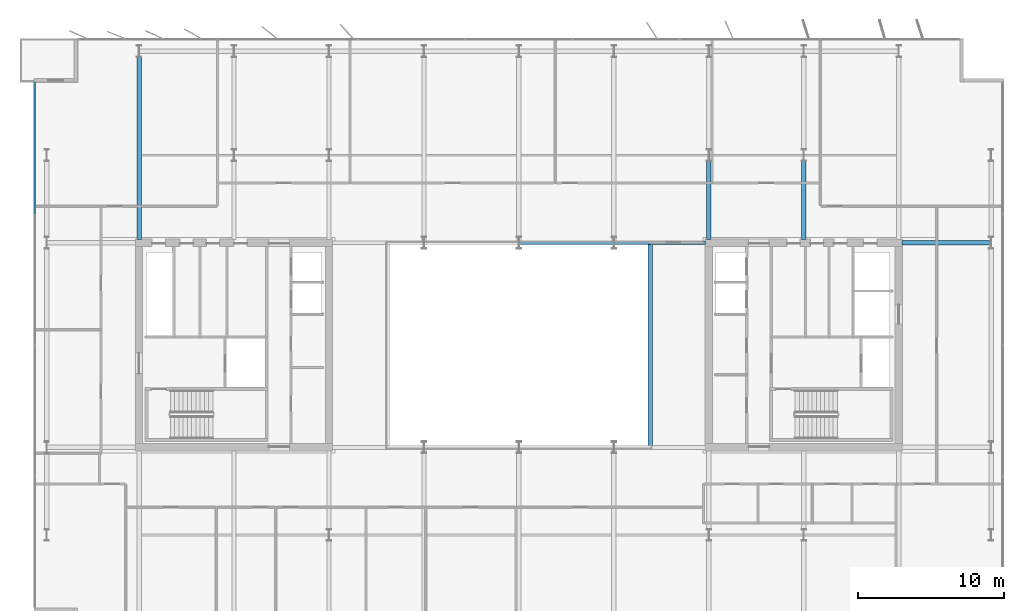
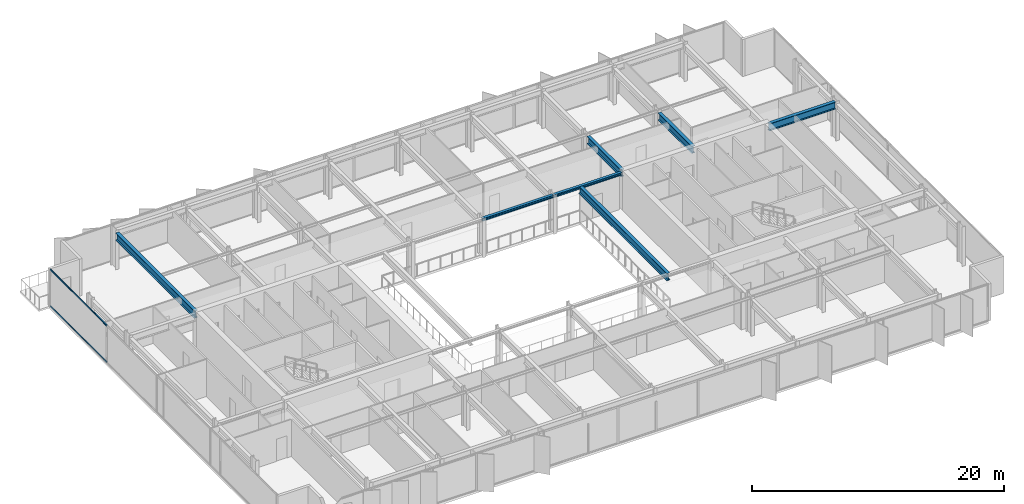
# One storey, part 9 of 23: 7 beams, 2 members, 1 element without a shape of its own.
"""IFC4 building model written with IfcOpenShell, lengths in metres."""

from ifc_helpers import new_model, si_unit, direction, frame, origin, origin_2d, place, context, subcontext, project, spatial, rectangle, i_section, extrude, material, layer, layer_set, material_profile, profile_set, type_object, element, aggregate, save


model = new_model("IFC4")

# Units and contexts
model_context = context("Model", 3, precision=1e-05, world=origin(), true_north=direction((0.0, 1.0)))
body_context = subcontext(model_context, "Body", "Model", "MODEL_VIEW")
ifc_project = project(units=[si_unit("LENGTHUNIT", "METRE"), si_unit("AREAUNIT", "SQUARE_METRE"), si_unit("VOLUMEUNIT", "CUBIC_METRE"), si_unit("PLANEANGLEUNIT", "RADIAN"), si_unit("MASSUNIT", "GRAM", prefix="KILO")], contexts=[model_context])

# Site, building, storey
site_placement = place(None, origin())
site = spatial("IfcSite", under=ifc_project, at=site_placement, CompositionType="ELEMENT")
building_placement = place(site_placement, origin())
building = spatial("IfcBuilding", under=site, at=building_placement, Name="Putna Gate Headquarters", CompositionType="ELEMENT")
storey_placement = place(building_placement, frame((0.0, 0.0, 213.800048828125)))
storey = spatial("IfcBuildingStorey", under=building, at=storey_placement, Name="L53", CompositionType="ELEMENT", Elevation=213.800048828125)

# Beams
ifc_material_1 = material(Name="Steel S355J2", Category="steel")
ifc_material_profile_1 = material_profile(ifc_material_1, i_section(OverallWidth=0.260009765625, OverallDepth=0.260009765625, WebThickness=0.010009765625, FlangeThickness=0.017578125, at=origin_2d()), Name="Steel S355J2")
ifc_profile_set_1 = profile_set([ifc_material_profile_1], Name="Steel S355J2")
beam_type_1 = type_object("IfcBeamType", Name="BM-ATRIUM-HEB260", PredefinedType="BEAM", material=ifc_profile_set_1)
beam_1_placement = place(storey_placement, frame((39.006103515625, 33.0, 3.449951171875), z_axis=(1.0, 0.0, 0.0), x_axis=(0.0, 1.0, 0.0)))
element("IfcBeam", 1, at=beam_1_placement, inside=storey, type_object=beam_type_1, Name="L53 Atrium Edge Beam AN3", PredefinedType="BEAM", context=body_context, shape_type="SweptSolid", body=[
    extrude(i_section(OverallWidth=0.260009765625, OverallDepth=0.260009765625, WebThickness=0.010009765625, FlangeThickness=0.017578125, at=origin_2d()), origin(), (0.0, 0.0, 1.0), 6.48779296875),
])
beam_2_placement = place(storey_placement, frame((45.506103515625, 33.0, 3.449951171875), z_axis=(1.0, 0.0, 0.0), x_axis=(0.0, 1.0, 0.0)))
element("IfcBeam", 2, at=beam_2_placement, inside=storey, type_object=beam_type_1, Name="L53 Atrium Edge Beam AN4", PredefinedType="BEAM", context=body_context, shape_type="SweptSolid", body=[
    extrude(i_section(OverallWidth=0.260009765625, OverallDepth=0.260009765625, WebThickness=0.010009765625, FlangeThickness=0.017578125, at=origin_2d()), origin(), (0.0, 0.0, 1.0), 6.2587890625),
])
ifc_material_profile_2 = material_profile(ifc_material_1, i_section(OverallWidth=0.300048828125, OverallDepth=0.699951171875, WebThickness=0.01708984375, FlangeThickness=0.031982421875, at=origin_2d()), Name="Steel S355J2")
ifc_profile_set_2 = profile_set([ifc_material_profile_2], Name="Steel S355J2")
beam_type_2 = type_object("IfcBeamType", Name="BM-GIRD-B-HEB700", PredefinedType="USERDEFINED", material=ifc_profile_set_2)
beam_3_placement = place(storey_placement, frame((65.235107421875, 33.0, 3.22998046875), z_axis=(1.0, 0.0, 0.0), x_axis=(0.0, 1.0, 0.0)))
element("IfcBeam", 3, at=beam_3_placement, inside=storey, type_object=beam_type_2, Name="L53 East Wing Girder Y33", ObjectType="GIRDER", PredefinedType="USERDEFINED", context=body_context, shape_type="SweptSolid", body=[
    extrude(i_section(OverallWidth=0.300048828125, OverallDepth=0.699951171875, WebThickness=0.01708984375, FlangeThickness=0.031982421875, at=origin_2d()), origin(), (0.0, 0.0, 1.0), 6.078857421875),
])
beam_4_placement = place(storey_placement, frame((13.0, 33.235107421875, 3.22998046875), z_axis=(0.0, 1.0, 0.0), x_axis=(-1.0, 0.0, 0.0)))
element("IfcBeam", 4, at=beam_4_placement, inside=storey, type_object=beam_type_2, Name="L53 North Primary Girder X13", ObjectType="GIRDER", PredefinedType="USERDEFINED", context=body_context, shape_type="SweptSolid", body=[
    extrude(i_section(OverallWidth=0.300048828125, OverallDepth=0.699951171875, WebThickness=0.01708984375, FlangeThickness=0.031982421875, at=origin_2d()), origin(), (0.0, 0.0, 1.0), 12.489990234375),
])
for number, where, z_axis, x_axis, name in (
    (5, (52.0, 33.235107421875, 3.22998046875), (0.0, 1.0, 0.0), (-1.0, 0.0, 0.0), "L53 North Primary Girder X52-1"),
    (6, (58.5, 33.235107421875, 3.22998046875), (0.0, 1.0, 0.0), (-1.0, 0.0, 0.0), "L53 North Primary Girder X58-1"),
):
    element("IfcBeam", number, at=place(storey_placement, frame(where, z_axis=z_axis, x_axis=x_axis)), inside=storey, type_object=beam_type_2, Name=name, ObjectType="GIRDER", PredefinedType="USERDEFINED", context=body_context, shape_type="SweptSolid", body=[
        extrude(i_section(OverallWidth=0.300048828125, OverallDepth=0.699951171875, WebThickness=0.01708984375, FlangeThickness=0.031982421875, at=origin_2d()), origin(), (0.0, 0.0, 1.0), 5.369873046875),
    ])
beam_5_placement = place(storey_placement, frame((48.0, 19.010009765625, 3.22998046875), z_axis=(0.0, 1.0, 0.0), x_axis=(-1.0, 0.0, 0.0)))
element("IfcBeam", 7, at=beam_5_placement, inside=storey, type_object=beam_type_2, Name="L53 Atrium Trim Girder AE", ObjectType="GIRDER", PredefinedType="USERDEFINED", context=body_context, shape_type="SweptSolid", body=[
    extrude(i_section(OverallWidth=0.300048828125, OverallDepth=0.699951171875, WebThickness=0.01708984375, FlangeThickness=0.031982421875, at=origin_2d()), origin(), (0.0, 0.0, 1.0), 13.97998046875),
])

# Curtain wall, members
ifc_material_2 = material(Name="Anodised bronze aluminium curtain wall", Category="aluminium")
ifc_layer = layer(ifc_material_2, 0.139892578125)
ifc_layer_set = layer_set([ifc_layer], Name="Anodised bronze aluminium curtain wall")
curtain_wall_type = type_object("IfcCurtainWallType", Name="CW-SYS-Z4", PredefinedType="USERDEFINED", material=ifc_layer_set)
curtain_wall_placement = place(storey_placement, origin())
curtain_wall = element("IfcCurtainWall", 8, at=curtain_wall_placement, inside=storey, type_object=curtain_wall_type, Name="L53 West Curtain Wall", ObjectType="STICK CURTAIN WALL", PredefinedType="USERDEFINED")
ifc_material_3 = material(Name="Anodised bronze aluminium EN AW-6060", Category="aluminium")
ifc_material_profile_3 = material_profile(ifc_material_3, rectangle(XDim=0.06005859375, YDim=0.10009765625, at=origin_2d()), Name="Anodised bronze aluminium EN AW-6060")
ifc_profile_set_3 = profile_set([ifc_material_profile_3], Name="Anodised bronze aluminium EN AW-6060")
member_type = type_object("IfcMemberType", Name="TRAN-CWT-4", PredefinedType="USERDEFINED", material=ifc_profile_set_3)
member_1_placement = place(storey_placement, frame((5.8798828125, 35.030029296875, 0.030029296875), z_axis=(0.0, 1.0, 0.0), x_axis=(-1.0, 0.0, 0.0)))
member_1 = element("IfcMember", 9, at=member_1_placement, type_object=member_type, Name="CWS-4 transom 4.1", ObjectType="TRANSOM", PredefinedType="USERDEFINED", context=body_context, shape_type="SweptSolid", body=[
    extrude(rectangle(XDim=0.06005859375, YDim=0.10009765625, at=origin_2d()), origin(), (0.0, 0.0, 1.0), 8.909912109375),
])
member_2_placement = place(storey_placement, frame((5.8798828125, 35.030029296875, 3.550048828125), z_axis=(0.0, 1.0, 0.0), x_axis=(-1.0, 0.0, 0.0)))
member_2 = element("IfcMember", 10, at=member_2_placement, type_object=member_type, Name="CWS-4 transom 4.2", ObjectType="TRANSOM", PredefinedType="USERDEFINED", context=body_context, shape_type="SweptSolid", body=[
    extrude(rectangle(XDim=0.06005859375, YDim=0.10009765625, at=origin_2d()), origin(), (0.0, 0.0, 1.0), 8.909912109375),
])
aggregate(curtain_wall, [member_1, member_2])

save(model, "model.ifc")
